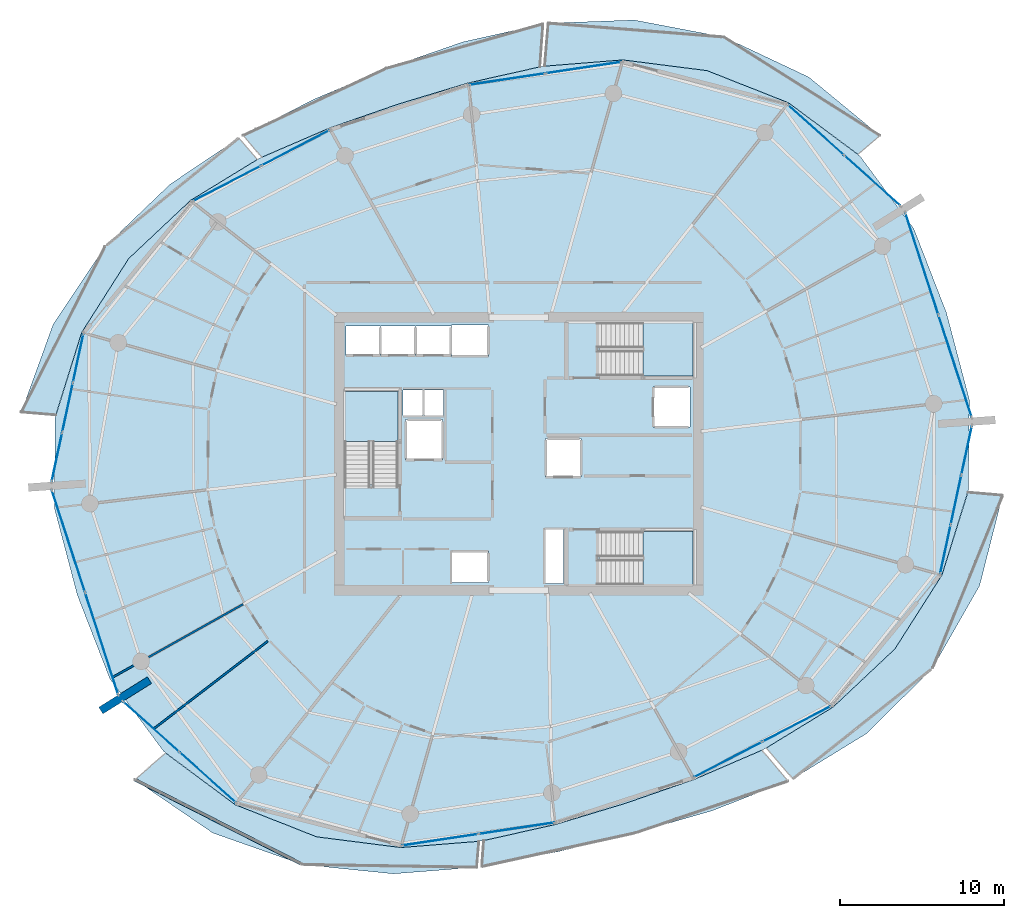
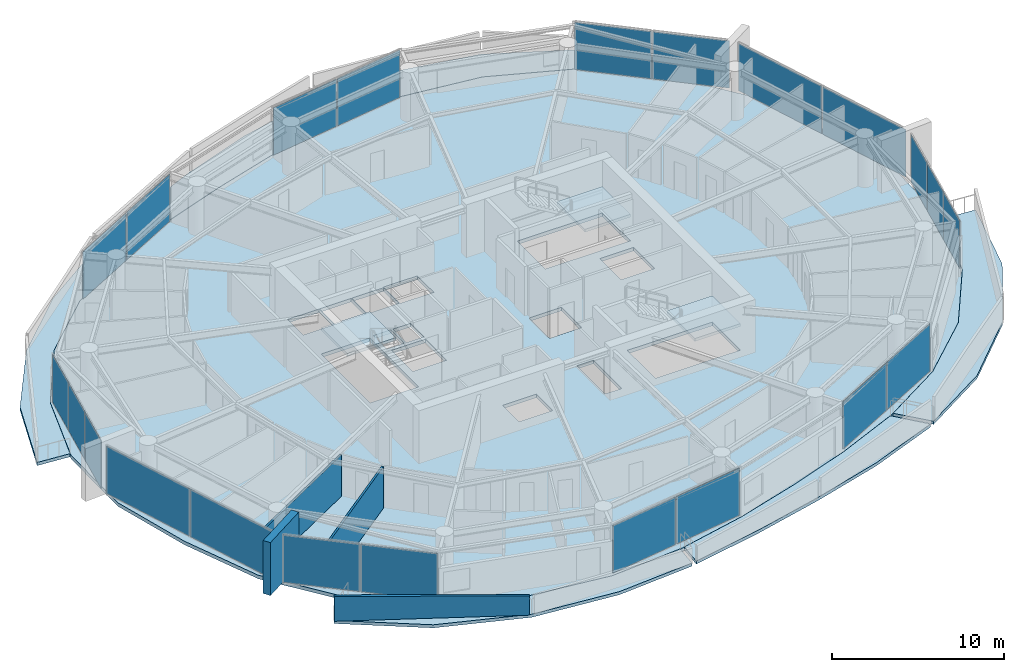
# One storey, part 10 of 20: 22 plates, 10 slabs, 4 walls, 13 elements without a shape of their own.
"""IFC4 building model written with IfcOpenShell, lengths in metres."""

from ifc_helpers import new_model, si_unit, direction, frame, frame_2d, origin, origin_2d, place, context, subcontext, project, spatial, polyline, rectangle, outline, extrude, material, layer, layer_set, type_object, element, aggregate, save


model = new_model("IFC4")

# Units and contexts
model_context = context("Model", 3, precision=1e-05, world=origin(), true_north=direction((0.0, 1.0)))
body_context = subcontext(model_context, "Body", "Model", "MODEL_VIEW")
ifc_project = project(units=[si_unit("LENGTHUNIT", "METRE"), si_unit("AREAUNIT", "SQUARE_METRE"), si_unit("VOLUMEUNIT", "CUBIC_METRE"), si_unit("PLANEANGLEUNIT", "RADIAN"), si_unit("MASSUNIT", "GRAM", prefix="KILO")], contexts=[model_context])

# Site, building, storey
site_placement = place(None, origin())
site = spatial("IfcSite", under=ifc_project, at=site_placement, CompositionType="ELEMENT")
building_placement = place(site_placement, origin())
building = spatial("IfcBuilding", under=site, at=building_placement, Name="Kazma Halo Residences", CompositionType="ELEMENT")
storey_placement = place(building_placement, frame((0.0, 0.0, 217.800048828125)))
storey = spatial("IfcBuildingStorey", under=building, at=storey_placement, Name="L55", CompositionType="ELEMENT", Elevation=217.800048828125)

# Curtain wall, plates
ifc_material_1 = material(Name="Aluminium AW-6063 T6 and Triple-Silver Low-E Glass", Category="aluminium")
ifc_layer_1 = layer(ifc_material_1, 0.219970703125)
ifc_layer_set_1 = layer_set([ifc_layer_1], Name="Aluminium AW-6063 T6 and Triple-Silver Low-E Glass")
curtain_wall_type = type_object("IfcCurtainWallType", Name="CW-SYS-4", PredefinedType="NOTDEFINED", material=ifc_layer_set_1)
curtain_wall_1_placement = place(storey_placement, origin())
curtain_wall_1 = element("IfcCurtainWall", 1, at=curtain_wall_1_placement, inside=storey, type_object=curtain_wall_type, Name="L55 unitised curtain wall B01", PredefinedType="NOTDEFINED")
ifc_material_2 = material(Name="Clear Triple-Silver Low-E Glass IGU", Category="glass")
ifc_layer_2 = layer(ifc_material_2, 0.033935546875)
ifc_layer_set_2 = layer_set([ifc_layer_2], Name="Clear Triple-Silver Low-E Glass IGU")
plate_type = type_object("IfcPlateType", Name="CW-SYS-4-PNL", PredefinedType="CURTAIN_PANEL", material=ifc_layer_set_2)
plate_1_placement = place(storey_placement, frame((70.001220703125, 58.669677734375, 0.074951171875), z_axis=(0.0, 0.0, 1.0), x_axis=(-0.744354814723, 0.667784328806, 0.0)))
plate_1 = element("IfcPlate", 2, at=plate_1_placement, type_object=plate_type, Name="CWS-4 panel 1.1", PredefinedType="CURTAIN_PANEL", context=body_context, shape_type="SweptSolid", body=[
    extrude(rectangle(XDim=4.5478515625, YDim=0.033935546875, at=origin_2d()), origin(), (0.0, 0.0, 1.0), 3.35009765625),
])
plate_2_placement = place(storey_placement, frame((66.56005859375, 61.7568359375, 0.074951171875), z_axis=(0.0, 0.0, 1.0), x_axis=(-0.744354814723, 0.667784328806, 0.0)))
plate_2 = element("IfcPlate", 3, at=plate_2_placement, type_object=plate_type, Name="CWS-4 panel 2.1", PredefinedType="CURTAIN_PANEL", context=body_context, shape_type="SweptSolid", body=[
    extrude(rectangle(XDim=4.5478515625, YDim=0.033935546875, at=origin_2d()), origin(), (0.0, 0.0, 1.0), 3.35009765625),
])
aggregate(curtain_wall_1, [plate_1, plate_2])

curtain_wall_2_placement = place(storey_placement, origin())
curtain_wall_2 = element("IfcCurtainWall", 4, at=curtain_wall_2_placement, inside=storey, type_object=curtain_wall_type, Name="L55 unitised curtain wall B03", PredefinedType="NOTDEFINED")
plate_3_placement = place(storey_placement, frame((52.375, 65.562255859375, 0.074951171875), z_axis=(0.0, 0.0, 1.0), x_axis=(-0.988871428361, -0.148772639188, 0.0)))
plate_3 = element("IfcPlate", 5, at=plate_3_placement, type_object=plate_type, Name="CWS-4 panel 1.1", PredefinedType="CURTAIN_PANEL", context=body_context, shape_type="SweptSolid", body=[
    extrude(rectangle(XDim=4.64501953125, YDim=0.033935546875, at=origin_2d()), origin(), (0.0, 0.0, 1.0), 3.35009765625),
])
plate_4_placement = place(storey_placement, frame((47.70751953125, 64.860107421875, 0.074951171875), z_axis=(0.0, 0.0, 1.0), x_axis=(-0.988871428361, -0.148772639188, 0.0)))
plate_4 = element("IfcPlate", 6, at=plate_4_placement, type_object=plate_type, Name="CWS-4 panel 2.1", PredefinedType="CURTAIN_PANEL", context=body_context, shape_type="SweptSolid", body=[
    extrude(rectangle(XDim=4.64501953125, YDim=0.033935546875, at=origin_2d()), origin(), (0.0, 0.0, 1.0), 3.35009765625),
])
aggregate(curtain_wall_2, [plate_3, plate_4])

curtain_wall_3_placement = place(storey_placement, origin())
curtain_wall_3 = element("IfcCurtainWall", 7, at=curtain_wall_3_placement, inside=storey, type_object=curtain_wall_type, Name="L55 unitised curtain wall B05", PredefinedType="NOTDEFINED")
plate_5_placement = place(storey_placement, frame((34.7998046875, 60.666015625, 0.074951171875), z_axis=(0.0, 0.0, 1.0), x_axis=(-0.887465657575, -0.460873851097, 0.0)))
plate_5 = element("IfcPlate", 8, at=plate_5_placement, type_object=plate_type, Name="CWS-4 panel 1.1", PredefinedType="CURTAIN_PANEL", context=body_context, shape_type="SweptSolid", body=[
    extrude(rectangle(XDim=4.64501953125, YDim=0.033935546875, at=origin_2d()), origin(), (0.0, 0.0, 1.0), 3.35009765625),
])
plate_6_placement = place(storey_placement, frame((30.61083984375, 58.49072265625, 0.074951171875), z_axis=(0.0, 0.0, 1.0), x_axis=(-0.887465657575, -0.460873851097, 0.0)))
plate_6 = element("IfcPlate", 9, at=plate_6_placement, type_object=plate_type, Name="CWS-4 panel 2.1", PredefinedType="CURTAIN_PANEL", context=body_context, shape_type="SweptSolid", body=[
    extrude(rectangle(XDim=4.64501953125, YDim=0.033935546875, at=origin_2d()), origin(), (0.0, 0.0, 1.0), 3.35009765625),
])
aggregate(curtain_wall_3, [plate_5, plate_6])

curtain_wall_4_placement = place(storey_placement, origin())
curtain_wall_4 = element("IfcCurtainWall", 10, at=curtain_wall_4_placement, inside=storey, type_object=curtain_wall_type, Name="L55 unitised curtain wall B07", PredefinedType="NOTDEFINED")
plate_7_placement = place(storey_placement, frame((21.53466796875, 47.833740234375, 0.074951171875), z_axis=(0.0, 0.0, 1.0), x_axis=(-0.209689543175, -0.977768017212, 0.0)))
plate_7 = element("IfcPlate", 11, at=plate_7_placement, type_object=plate_type, Name="CWS-4 panel 1.1", PredefinedType="CURTAIN_PANEL", context=body_context, shape_type="SweptSolid", body=[
    extrude(rectangle(XDim=2.994384765625, YDim=0.033935546875, at=origin_2d()), origin(), (0.0, 0.0, 1.0), 3.35009765625),
])
plate_8_placement = place(storey_placement, frame((20.88720703125, 44.814208984375, 0.074951171875), z_axis=(0.0, 0.0, 1.0), x_axis=(-0.209689543175, -0.977768017212, 0.0)))
plate_8 = element("IfcPlate", 12, at=plate_8_placement, type_object=plate_type, Name="CWS-4 panel 2.1", PredefinedType="CURTAIN_PANEL", context=body_context, shape_type="SweptSolid", body=[
    extrude(rectangle(XDim=3.031982421875, YDim=0.033935546875, at=origin_2d()), origin(), (0.0, 0.0, 1.0), 3.35009765625),
])
plate_9_placement = place(storey_placement, frame((20.239501953125, 41.794677734375, 0.074951171875), z_axis=(0.0, 0.0, 1.0), x_axis=(-0.209689543175, -0.977768017212, 0.0)))
plate_9 = element("IfcPlate", 13, at=plate_9_placement, type_object=plate_type, Name="CWS-4 panel 3.1", PredefinedType="CURTAIN_PANEL", context=body_context, shape_type="SweptSolid", body=[
    extrude(rectangle(XDim=2.994384765625, YDim=0.033935546875, at=origin_2d()), origin(), (0.0, 0.0, 1.0), 3.35009765625),
])
aggregate(curtain_wall_4, [plate_7, plate_8, plate_9])

curtain_wall_5_placement = place(storey_placement, origin())
curtain_wall_5 = element("IfcCurtainWall", 14, at=curtain_wall_5_placement, inside=storey, type_object=curtain_wall_type, Name="L55 unitised curtain wall B08", PredefinedType="NOTDEFINED")
plate_10_placement = place(storey_placement, frame((20.942626953125, 36.658447265625, 0.074951171875), z_axis=(0.0, 0.0, 1.0), x_axis=(0.309015833038, -0.951056893636, 0.0)))
plate_10 = element("IfcPlate", 15, at=plate_10_placement, type_object=plate_type, Name="CWS-4 panel 1.1", PredefinedType="CURTAIN_PANEL", context=body_context, shape_type="SweptSolid", body=[
    extrude(rectangle(XDim=6.487060546875, YDim=0.033935546875, at=origin_2d()), origin(), (0.0, 0.0, 1.0), 3.35009765625),
])
plate_11_placement = place(storey_placement, frame((22.970458984375, 30.41748046875, 0.074951171875), z_axis=(0.0, 0.0, 1.0), x_axis=(0.309015833038, -0.951056893636, 0.0)))
plate_11 = element("IfcPlate", 16, at=plate_11_placement, type_object=plate_type, Name="CWS-4 panel 2.1", PredefinedType="CURTAIN_PANEL", context=body_context, shape_type="SweptSolid", body=[
    extrude(rectangle(XDim=6.487060546875, YDim=0.033935546875, at=origin_2d()), origin(), (0.0, 0.0, 1.0), 3.35009765625),
])
aggregate(curtain_wall_5, [plate_10, plate_11])

curtain_wall_6_placement = place(storey_placement, origin())
curtain_wall_6 = element("IfcCurtainWall", 17, at=curtain_wall_6_placement, inside=storey, type_object=curtain_wall_type, Name="L55 unitised curtain wall B09", PredefinedType="NOTDEFINED")
plate_12_placement = place(storey_placement, frame((25.998779296875, 25.330322265625, 0.074951171875), z_axis=(0.0, 0.0, 1.0), x_axis=(0.744354814723, -0.667784328806, 0.0)))
plate_12 = element("IfcPlate", 18, at=plate_12_placement, type_object=plate_type, Name="CWS-4 panel 1.1", PredefinedType="CURTAIN_PANEL", context=body_context, shape_type="SweptSolid", body=[
    extrude(rectangle(XDim=4.5478515625, YDim=0.033935546875, at=origin_2d()), origin(), (0.0, 0.0, 1.0), 3.35009765625),
])
plate_13_placement = place(storey_placement, frame((29.43994140625, 22.2431640625, 0.074951171875), z_axis=(0.0, 0.0, 1.0), x_axis=(0.744354814723, -0.667784328806, 0.0)))
plate_13 = element("IfcPlate", 19, at=plate_13_placement, type_object=plate_type, Name="CWS-4 panel 2.1", PredefinedType="CURTAIN_PANEL", context=body_context, shape_type="SweptSolid", body=[
    extrude(rectangle(XDim=4.5478515625, YDim=0.033935546875, at=origin_2d()), origin(), (0.0, 0.0, 1.0), 3.35009765625),
])
aggregate(curtain_wall_6, [plate_12, plate_13])

curtain_wall_7_placement = place(storey_placement, origin())
curtain_wall_7 = element("IfcCurtainWall", 20, at=curtain_wall_7_placement, inside=storey, type_object=curtain_wall_type, Name="L55 unitised curtain wall B11", PredefinedType="NOTDEFINED")
plate_14_placement = place(storey_placement, frame((43.625, 18.437744140625, 0.074951171875), z_axis=(0.0, 0.0, 1.0), x_axis=(0.988871428361, 0.148772639188, 0.0)))
plate_14 = element("IfcPlate", 21, at=plate_14_placement, type_object=plate_type, Name="CWS-4 panel 1.1", PredefinedType="CURTAIN_PANEL", context=body_context, shape_type="SweptSolid", body=[
    extrude(rectangle(XDim=4.64501953125, YDim=0.033935546875, at=origin_2d()), origin(), (0.0, 0.0, 1.0), 3.35009765625),
])
plate_15_placement = place(storey_placement, frame((48.29248046875, 19.139892578125, 0.074951171875), z_axis=(0.0, 0.0, 1.0), x_axis=(0.988871428361, 0.148772639188, 0.0)))
plate_15 = element("IfcPlate", 22, at=plate_15_placement, type_object=plate_type, Name="CWS-4 panel 2.1", PredefinedType="CURTAIN_PANEL", context=body_context, shape_type="SweptSolid", body=[
    extrude(rectangle(XDim=4.64501953125, YDim=0.033935546875, at=origin_2d()), origin(), (0.0, 0.0, 1.0), 3.35009765625),
])
aggregate(curtain_wall_7, [plate_14, plate_15])

curtain_wall_8_placement = place(storey_placement, origin())
curtain_wall_8 = element("IfcCurtainWall", 23, at=curtain_wall_8_placement, inside=storey, type_object=curtain_wall_type, Name="L55 unitised curtain wall B13", PredefinedType="NOTDEFINED")
plate_16_placement = place(storey_placement, frame((61.2001953125, 23.333984375, 0.074951171875), z_axis=(0.0, 0.0, 1.0), x_axis=(0.887465657575, 0.460873851097, 0.0)))
plate_16 = element("IfcPlate", 24, at=plate_16_placement, type_object=plate_type, Name="CWS-4 panel 1.1", PredefinedType="CURTAIN_PANEL", context=body_context, shape_type="SweptSolid", body=[
    extrude(rectangle(XDim=4.64501953125, YDim=0.033935546875, at=origin_2d()), origin(), (0.0, 0.0, 1.0), 3.35009765625),
])
plate_17_placement = place(storey_placement, frame((65.38916015625, 25.50927734375, 0.074951171875), z_axis=(0.0, 0.0, 1.0), x_axis=(0.887465657575, 0.460873851097, 0.0)))
plate_17 = element("IfcPlate", 25, at=plate_17_placement, type_object=plate_type, Name="CWS-4 panel 2.1", PredefinedType="CURTAIN_PANEL", context=body_context, shape_type="SweptSolid", body=[
    extrude(rectangle(XDim=4.64501953125, YDim=0.033935546875, at=origin_2d()), origin(), (0.0, 0.0, 1.0), 3.35009765625),
])
aggregate(curtain_wall_8, [plate_16, plate_17])

curtain_wall_9_placement = place(storey_placement, origin())
curtain_wall_9 = element("IfcCurtainWall", 26, at=curtain_wall_9_placement, inside=storey, type_object=curtain_wall_type, Name="L55 unitised curtain wall B15", PredefinedType="NOTDEFINED")
plate_18_placement = place(storey_placement, frame((74.46533203125, 36.166259765625, 0.074951171875), z_axis=(0.0, 0.0, 1.0), x_axis=(0.209689543175, 0.977768017212, 0.0)))
plate_18 = element("IfcPlate", 27, at=plate_18_placement, type_object=plate_type, Name="CWS-4 panel 1.1", PredefinedType="CURTAIN_PANEL", context=body_context, shape_type="SweptSolid", body=[
    extrude(rectangle(XDim=2.994384765625, YDim=0.033935546875, at=origin_2d()), origin(), (0.0, 0.0, 1.0), 3.35009765625),
])
plate_19_placement = place(storey_placement, frame((75.11279296875, 39.185791015625, 0.074951171875), z_axis=(0.0, 0.0, 1.0), x_axis=(0.209689543175, 0.977768017212, 0.0)))
plate_19 = element("IfcPlate", 28, at=plate_19_placement, type_object=plate_type, Name="CWS-4 panel 2.1", PredefinedType="CURTAIN_PANEL", context=body_context, shape_type="SweptSolid", body=[
    extrude(rectangle(XDim=3.031982421875, YDim=0.033935546875, at=origin_2d()), origin(), (0.0, 0.0, 1.0), 3.35009765625),
])
plate_20_placement = place(storey_placement, frame((75.760498046875, 42.205322265625, 0.074951171875), z_axis=(0.0, 0.0, 1.0), x_axis=(0.209689543175, 0.977768017212, 0.0)))
plate_20 = element("IfcPlate", 29, at=plate_20_placement, type_object=plate_type, Name="CWS-4 panel 3.1", PredefinedType="CURTAIN_PANEL", context=body_context, shape_type="SweptSolid", body=[
    extrude(rectangle(XDim=2.994384765625, YDim=0.033935546875, at=origin_2d()), origin(), (0.0, 0.0, 1.0), 3.35009765625),
])
aggregate(curtain_wall_9, [plate_18, plate_19, plate_20])

curtain_wall_10_placement = place(storey_placement, origin())
curtain_wall_10 = element("IfcCurtainWall", 30, at=curtain_wall_10_placement, inside=storey, type_object=curtain_wall_type, Name="L55 unitised curtain wall B16", PredefinedType="NOTDEFINED")
plate_21_placement = place(storey_placement, frame((75.057373046875, 47.341552734375, 0.074951171875), z_axis=(0.0, 0.0, 1.0), x_axis=(-0.309015833038, 0.951056893636, 0.0)))
plate_21 = element("IfcPlate", 31, at=plate_21_placement, type_object=plate_type, Name="CWS-4 panel 1.1", PredefinedType="CURTAIN_PANEL", context=body_context, shape_type="SweptSolid", body=[
    extrude(rectangle(XDim=6.487060546875, YDim=0.033935546875, at=origin_2d()), origin(), (0.0, 0.0, 1.0), 3.35009765625),
])
plate_22_placement = place(storey_placement, frame((73.029541015625, 53.58251953125, 0.074951171875), z_axis=(0.0, 0.0, 1.0), x_axis=(-0.309015833038, 0.951056893636, 0.0)))
plate_22 = element("IfcPlate", 32, at=plate_22_placement, type_object=plate_type, Name="CWS-4 panel 2.1", PredefinedType="CURTAIN_PANEL", context=body_context, shape_type="SweptSolid", body=[
    extrude(rectangle(XDim=6.487060546875, YDim=0.033935546875, at=origin_2d()), origin(), (0.0, 0.0, 1.0), 3.35009765625),
])
aggregate(curtain_wall_10, [plate_21, plate_22])

# Slabs
ifc_material_3 = material(Name="White Concrete C50/60", Category="concrete")
ifc_layer_3 = layer(ifc_material_3, 0.219970703125)
ifc_layer_set_3 = layer_set([ifc_layer_3], Name="White Concrete C50/60")
slab_type_1 = type_object("IfcSlabType", Name="SLB-BAL-WAVE-210", PredefinedType="FLOOR", material=ifc_layer_set_3)
slab_1_placement = place(storey_placement, frame((0.0, 0.0, -0.219970703125)))
element("IfcSlab", 33, at=slab_1_placement, inside=storey, type_object=slab_type_1, Name="L55 NE cantilevered wave balcony slab", PredefinedType="FLOOR", context=body_context, shape_type="SweptSolid", body=[
    extrude(outline(polyline([(69.130126953125, 60.271240234375), (64.88720703125, 63.421142578125), (59.913818359375, 65.382080078125), (54.779052734375, 66.036376953125), (50.007080078125, 65.656005859375), (50.2294921875, 68.275634765625), (55.4658203125, 68.4716796875), (60.95654296875, 67.4287109375), (66.123046875, 64.989013671875), (70.4599609375, 61.421142578125), (69.130126953125, 60.271240234375)])), origin(), (0.0, 0.0, 1.0), 0.219970703125),
])
slab_2_placement = place(storey_placement, frame((0.0, 0.0, -0.219970703125)))
element("IfcSlab", 34, at=slab_2_placement, inside=storey, type_object=slab_type_1, Name="L55 NNW cantilevered wave balcony slab", PredefinedType="FLOOR", context=body_context, shape_type="SweptSolid", body=[
    extrude(outline(polyline([(49.713134765625, 65.612060546875), (45.322265625, 64.62451171875), (41.066650390625, 63.338623046875), (36.867919921875, 61.877685546875), (32.735107421875, 60.095458984375), (31.61083984375, 61.428466796875), (35.892578125, 63.61962890625), (40.35693359375, 65.523193359375), (45.02490234375, 67.13720703125), (49.9033203125, 68.229736328125), (49.713134765625, 65.612060546875)])), origin(), (0.0, 0.0, 1.0), 0.219970703125),
])
slab_3_placement = place(storey_placement, frame((0.0, 0.0, -0.219970703125)))
element("IfcSlab", 35, at=slab_3_placement, inside=storey, type_object=slab_type_1, Name="L55 NW cantilevered wave balcony slab", PredefinedType="FLOOR", context=body_context, shape_type="SweptSolid", body=[
    extrude(outline(polyline([(32.471435546875, 59.958251953125), (28.387451171875, 57.461181640625), (24.617919921875, 53.913818359375), (21.7470703125, 49.404052734375), (20.165771484375, 44.36181640625), (18.063720703125, 44.5400390625), (20.005859375, 49.895263671875), (23.1767578125, 54.648193359375), (27.140380859375, 58.4443359375), (31.336669921875, 61.2705078125), (32.471435546875, 59.958251953125)])), origin(), (0.0, 0.0, 1.0), 0.219970703125),
])
slab_4_placement = place(storey_placement, frame((0.0, 0.0, -0.219970703125)))
element("IfcSlab", 36, at=slab_4_placement, inside=storey, type_object=slab_type_1, Name="L55 SW cantilevered wave balcony slab", PredefinedType="FLOOR", context=body_context, shape_type="SweptSolid", body=[
    extrude(outline(polyline([(26.869873046875, 23.728759765625), (31.11279296875, 20.578857421875), (36.086181640625, 18.617919921875), (41.220947265625, 17.963623046875), (45.992919921875, 18.343994140625), (45.8583984375, 16.760498046875), (40.768798828125, 16.3603515625), (35.22412109375, 16.926025390625), (29.751220703125, 18.8515625), (24.993896484375, 22.106689453125), (26.869873046875, 23.728759765625)])), origin(), (0.0, 0.0, 1.0), 0.219970703125),
])
slab_5_placement = place(storey_placement, frame((0.0, 0.0, -0.219970703125)))
element("IfcSlab", 37, at=slab_5_placement, inside=storey, type_object=slab_type_1, Name="L55 SSE cantilevered wave balcony slab", PredefinedType="FLOOR", context=body_context, shape_type="SweptSolid", body=[
    extrude(outline(polyline([(46.286865234375, 18.387939453125), (50.677734375, 19.37548828125), (54.933349609375, 20.661376953125), (59.132080078125, 22.122314453125), (63.264892578125, 23.904541015625), (64.8544921875, 22.02001953125), (60.206787109375, 20.203369140625), (55.520263671875, 18.855224609375), (50.87353515625, 17.721435546875), (46.172119140625, 16.807373046875), (46.286865234375, 18.387939453125)])), origin(), (0.0, 0.0, 1.0), 0.219970703125),
])
slab_6_placement = place(storey_placement, frame((0.0, 0.0, -0.219970703125)))
element("IfcSlab", 38, at=slab_6_placement, inside=storey, type_object=slab_type_1, Name="L55 SE cantilevered wave balcony slab", PredefinedType="FLOOR", context=body_context, shape_type="SweptSolid", body=[
    extrude(outline(polyline([(63.528564453125, 24.041748046875), (67.612548828125, 26.538818359375), (71.382080078125, 30.086181640625), (74.2529296875, 34.595947265625), (75.834228515625, 39.63818359375), (77.955078125, 39.458251953125), (76.55029296875, 33.947998046875), (73.679443359375, 28.915771484375), (69.66064453125, 24.924072265625), (65.153076171875, 22.1630859375), (63.528564453125, 24.041748046875)])), origin(), (0.0, 0.0, 1.0), 0.219970703125),
])
ifc_material_4 = material(Name="Concrete C50/60", Category="concrete")
ifc_layer_4 = layer(ifc_material_4, 0.25)
ifc_layer_set_4 = layer_set([ifc_layer_4], Name="Concrete C50/60")
slab_type_2 = type_object("IfcSlabType", Name="SLB-RES-250", PredefinedType="FLOOR", material=ifc_layer_set_4)
slab_7_placement = place(storey_placement, frame((0.0, 0.0, -0.25)))
element("IfcSlab", 39, at=slab_7_placement, inside=storey, type_object=slab_type_2, Name="L55 structural floor slab", PredefinedType="FLOOR", context=body_context, shape_type="SweptSolid", body=[
    extrude(outline(polyline([(74.521484375, 50.617431640625), (72.531982421875, 55.738525390625), (69.2587890625, 60.156494140625), (64.8857421875, 63.41943359375), (59.912841796875, 65.380126953125), (54.7783203125, 66.034423828125), (49.860595703125, 65.64111328125), (45.322509765625, 64.62255859375), (41.0673828125, 63.336669921875), (36.868896484375, 61.875732421875), (32.598876953125, 60.032470703125), (28.388916015625, 57.460205078125), (24.619873046875, 53.912841796875), (21.7490234375, 49.403564453125), (20.129150390625, 44.193603515625), (20.07763671875, 38.6953125), (21.478515625, 33.382568359375), (23.468017578125, 28.261474609375), (26.7412109375, 23.843505859375), (31.1142578125, 20.58056640625), (36.087158203125, 18.619873046875), (41.2216796875, 17.965576171875), (46.139404296875, 18.35888671875), (50.677490234375, 19.37744140625), (54.9326171875, 20.663330078125), (59.131103515625, 22.124267578125), (63.401123046875, 23.967529296875), (67.611083984375, 26.539794921875), (71.380126953125, 30.087158203125), (74.2509765625, 34.596435546875), (75.870849609375, 39.806396484375), (75.92236328125, 45.3046875), (74.521484375, 50.617431640625)]), holes=[polyline([(37.800048828125, 40.110107421875), (41.050048828125, 40.110107421875), (41.050048828125, 45.800048828125), (37.800048828125, 45.800048828125), (37.800048828125, 40.110107421875)]), polyline([(53.360107421875, 46.75), (59.050048828125, 46.75), (59.050048828125, 50.0), (53.360107421875, 50.0), (53.360107421875, 46.75)]), polyline([(53.360107421875, 34.0), (59.050048828125, 34.0), (59.050048828125, 37.25), (53.360107421875, 37.25), (53.360107421875, 34.0)]), polyline([(41.52001953125, 41.6201171875), (43.780029296875, 41.6201171875), (43.780029296875, 44.080078125), (41.52001953125, 44.080078125), (41.52001953125, 41.6201171875)]), polyline([(56.6201171875, 43.6201171875), (58.8798828125, 43.6201171875), (58.8798828125, 46.080078125), (56.6201171875, 46.080078125), (56.6201171875, 43.6201171875)]), polyline([(37.864990234375, 47.9951171875), (39.97509765625, 47.9951171875), (39.97509765625, 49.804931640625), (37.864990234375, 49.804931640625), (37.864990234375, 47.9951171875)]), polyline([(40.014892578125, 47.9951171875), (42.125, 47.9951171875), (42.125, 49.804931640625), (40.014892578125, 49.804931640625), (40.014892578125, 47.9951171875)]), polyline([(42.1650390625, 47.9951171875), (44.27490234375, 47.9951171875), (44.27490234375, 49.804931640625), (42.1650390625, 49.804931640625), (42.1650390625, 47.9951171875)]), polyline([(44.320068359375, 47.945068359375), (46.580078125, 47.945068359375), (46.580078125, 49.85498046875), (44.320068359375, 49.85498046875), (44.320068359375, 47.945068359375)]), polyline([(44.320068359375, 34.14501953125), (46.580078125, 34.14501953125), (46.580078125, 36.054931640625), (44.320068359375, 36.054931640625), (44.320068359375, 34.14501953125)]), polyline([(50.070068359375, 40.570068359375), (52.22998046875, 40.570068359375), (52.22998046875, 42.929931640625), (50.070068359375, 42.929931640625), (50.070068359375, 40.570068359375)]), polyline([(41.360107421875, 44.340087890625), (42.5400390625, 44.340087890625), (42.5400390625, 45.89990234375), (41.360107421875, 45.89990234375), (41.360107421875, 44.340087890625)]), polyline([(42.659912109375, 44.340087890625), (43.840087890625, 44.340087890625), (43.840087890625, 45.89990234375), (42.659912109375, 45.89990234375), (42.659912109375, 44.340087890625)]), polyline([(50.06005859375, 34.080078125), (51.159912109375, 34.080078125), (51.159912109375, 37.3798828125), (50.06005859375, 37.3798828125), (50.06005859375, 34.080078125)])]), origin(), (0.0, 0.0, 1.0), 0.25),
])

# Stair, slab
stair_type = type_object("IfcStairType", Name="STR-RES1", PredefinedType="HALF_TURN_STAIR", material=ifc_material_4)
stair_1_placement = place(storey_placement, origin())
stair_1 = element("IfcStair", 40, at=stair_1_placement, inside=storey, type_object=stair_type, Name="L55 Core exit stair ST-01", PredefinedType="HALF_TURN_STAIR")
ifc_layer_5 = layer(ifc_material_4, 0.199951171875)
ifc_layer_set_5 = layer_set([ifc_layer_5], Name="Concrete C50/60")
slab_type_3 = type_object("IfcSlabType", Name="SLB-STAIR-LND-200", PredefinedType="LANDING", material=ifc_layer_set_5)
slab_8_placement = place(storey_placement, frame((0.0, 0.0, 1.675048828125)))
slab_8 = element("IfcSlab", 41, at=slab_8_placement, type_object=slab_type_3, Name="ST-01 landing 1", PredefinedType="LANDING", context=body_context, shape_type="SweptSolid", body=[
    extrude(outline(polyline([(41.050048828125, 42.75), (41.050048828125, 45.800048828125), (37.800048828125, 45.800048828125), (37.800048828125, 42.75), (41.050048828125, 42.75)])), origin(), (0.0, 0.0, 1.0), 0.199951171875),
])
aggregate(stair_1, [slab_8])

stair_2_placement = place(storey_placement, origin())
stair_2 = element("IfcStair", 42, at=stair_2_placement, inside=storey, type_object=stair_type, Name="L55 Core exit stair ST-02", PredefinedType="HALF_TURN_STAIR")
slab_9_placement = place(storey_placement, frame((0.0, 0.0, 1.675048828125)))
slab_9 = element("IfcSlab", 43, at=slab_9_placement, type_object=slab_type_3, Name="ST-02 landing 1", PredefinedType="LANDING", context=body_context, shape_type="SweptSolid", body=[
    extrude(outline(polyline([(56.0, 46.75), (59.050048828125, 46.75), (59.050048828125, 50.0), (56.0, 50.0), (56.0, 46.75)])), origin(), (0.0, 0.0, 1.0), 0.199951171875),
])
aggregate(stair_2, [slab_9])

stair_3_placement = place(storey_placement, origin())
stair_3 = element("IfcStair", 44, at=stair_3_placement, inside=storey, type_object=stair_type, Name="L55 Core exit stair ST-03", PredefinedType="HALF_TURN_STAIR")
slab_10_placement = place(storey_placement, frame((0.0, 0.0, 1.675048828125)))
slab_10 = element("IfcSlab", 45, at=slab_10_placement, type_object=slab_type_3, Name="ST-03 landing 1", PredefinedType="LANDING", context=body_context, shape_type="SweptSolid", body=[
    extrude(outline(polyline([(56.0, 34.0), (59.050048828125, 34.0), (59.050048828125, 37.25), (56.0, 37.25), (56.0, 34.0)])), origin(), (0.0, 0.0, 1.0), 0.199951171875),
])
aggregate(stair_3, [slab_10])

# Walls
ifc_material_5 = material(Name="White Concrete C50/60 Balustrade", Category="concrete")
ifc_layer_6 = layer(ifc_material_5, 0.179931640625)
ifc_layer_set_6 = layer_set([ifc_layer_6], Name="White Concrete C50/60 Balustrade")
wall_type_1 = type_object("IfcWallType", Name="WL-BAL-WAVE-180", PredefinedType="PARAPET", material=ifc_layer_set_6)
wall_1_placement = place(storey_placement, frame((24.993896484375, 22.106689453125, 0.0), z_axis=(0.0, 0.0, 1.0), x_axis=(0.892126203774, -0.451786273076, 0.0)))
element("IfcWall", 46, at=wall_1_placement, inside=storey, type_object=wall_type_1, Name="L55 white wave balustrade wall SW.1", PredefinedType="PARAPET", context=body_context, shape_type="SweptSolid", body=[
    extrude(outline(polyline([(0.0, 0.0), (11.34716796875, 0.0), (11.34716796875, 1.347900390625), (5.673583984375, 1.56201171875), (0.0, 1.7470703125), (0.0, 0.0)])), frame((0.0, 0.08984375, 0.0), z_axis=(0.0, -1.0, 0.0), x_axis=(1.0, 0.0, 0.0)), (0.0, 0.0, 1.0), 0.179931640625),
])
ifc_material_6 = material(Name="Pale Concrete C60/75", Category="concrete")
ifc_layer_7 = layer(ifc_material_6, 0.47998046875)
ifc_layer_set_7 = layer_set([ifc_layer_7], Name="Pale Concrete C60/75")
wall_type_2 = type_object("IfcWallType", Name="WL-BLADE-480", PredefinedType="SOLIDWALL", material=ifc_layer_set_7)
wall_2_placement = place(storey_placement, frame((25.88623046875, 28.181884765625, 0.0), z_axis=(0.0, 0.0, 1.0), x_axis=(-0.848033572426, -0.529942506352, 0.0)))
element("IfcWall", 47, at=wall_2_placement, inside=storey, type_object=wall_type_2, Name="L55 pale concrete structural blade fin wall BW-03", PredefinedType="SOLIDWALL", context=body_context, shape_type="SweptSolid", body=[
    extrude(rectangle(XDim=3.5, YDim=0.47998046875, at=frame_2d((1.75, 0.0))), origin(), (0.0, 0.0, 1.0), 3.75),
])
ifc_material_7 = material(Name="Gypsum Plasterboard Partition")
ifc_layer_8 = layer(ifc_material_7, 0.125)
ifc_layer_set_8 = layer_set([ifc_layer_8], Name="Gypsum Plasterboard Partition")
wall_type_3 = type_object("IfcWallType", Name="WL-PART-125", PredefinedType="PARTITIONING", material=ifc_layer_set_8)
wall_3_placement = place(storey_placement, frame((31.602294921875, 32.81689453125, 0.0), z_axis=(0.0, 0.0, 1.0), x_axis=(-0.872494579812, -0.488623790047, 0.0)))
element("IfcWall", 48, at=wall_3_placement, inside=storey, type_object=wall_type_3, Name="L55 Apartment 1 radial partition 8", PredefinedType="PARTITIONING", context=body_context, shape_type="SweptSolid", body=[
    extrude(rectangle(XDim=9.10107421875, YDim=0.125, at=frame_2d((4.550537109375, 0.0))), origin(), (0.0, 0.0, 1.0), 2.93994140625),
])
wall_4_placement = place(storey_placement, frame((33.103515625, 30.55712890625, 0.0), z_axis=(0.0, 0.0, 1.0), x_axis=(-0.793029985802, -0.609182601212, 0.0)))
element("IfcWall", 49, at=wall_4_placement, inside=storey, type_object=wall_type_3, Name="L55 Apartment 1 mid-bay wall 8", PredefinedType="PARTITIONING", context=body_context, shape_type="SweptSolid", body=[
    extrude(rectangle(XDim=8.75927734375, YDim=0.125, at=frame_2d((4.379638671875, 0.0))), origin(), (0.0, 0.0, 1.0), 2.93994140625),
])

save(model, "model.ifc")
